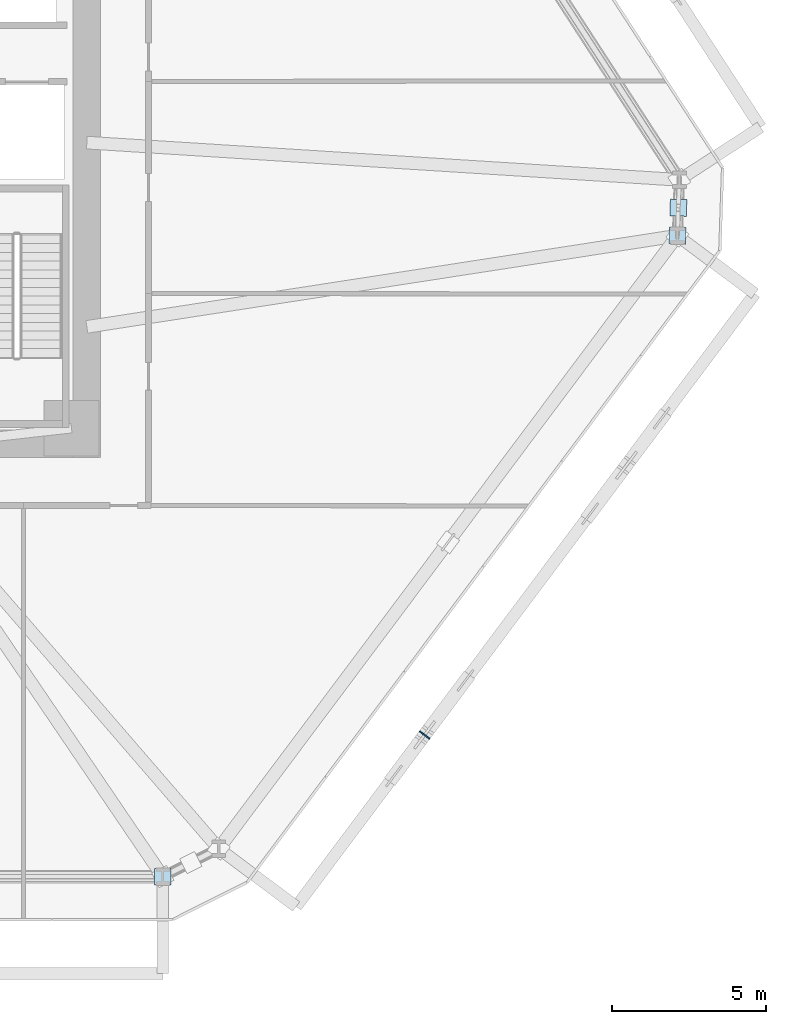
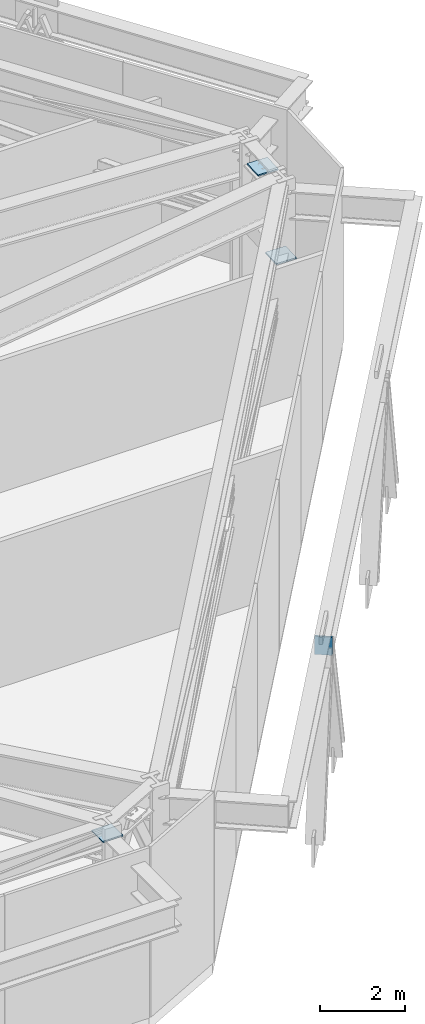
# One storey, part 10 of 16: 4 plates.
"""IFC4 building model written with IfcOpenShell, lengths in metres."""

from ifc_helpers import new_model, si_unit, direction, frame, origin, origin_2d, place, context, subcontext, project, spatial, rectangle, extrude, source, transform, mapped, material, layer, layer_set, type_object, type_shapes, element, save


model = new_model("IFC4")

# Units and contexts
model_context = context("Model", 3, precision=1e-05, world=origin(), true_north=direction((0.0, 1.0)))
body_context = subcontext(model_context, "Body", "Model", "MODEL_VIEW")
ifc_project = project(units=[si_unit("LENGTHUNIT", "METRE"), si_unit("AREAUNIT", "SQUARE_METRE"), si_unit("VOLUMEUNIT", "CUBIC_METRE"), si_unit("PLANEANGLEUNIT", "RADIAN"), si_unit("MASSUNIT", "GRAM", prefix="KILO")], contexts=[model_context])

# Site, building, storey
site_placement = place(None, origin())
site = spatial("IfcSite", under=ifc_project, at=site_placement, CompositionType="ELEMENT")
building_placement = place(site_placement, origin())
building = spatial("IfcBuilding", under=site, at=building_placement, Name="Durnholm Broadcast Tower", CompositionType="ELEMENT")
storey_placement = place(building_placement, frame((0.0, 0.0, 10.39990234375)))
storey = spatial("IfcBuildingStorey", under=building, at=storey_placement, Name="L02", CompositionType="ELEMENT", Elevation=10.39990234375)

# Plates
ifc_material = material(Name="Steel ASTM A572 Grade 50", Category="steel")
ifc_layer_1 = layer(ifc_material, 0.0400390625)
ifc_layer_set_1 = layer_set([ifc_layer_1], Name="Steel ASTM A572 Grade 50")
plate_type_1 = type_object("IfcPlateType", Name="PLT-KN-CAP", PredefinedType="USERDEFINED", material=ifc_layer_set_1)
shared_shape_1 = source(origin(), body_context, "Body", "SweptSolid", [
    extrude(rectangle(XDim=0.5400390625, YDim=0.5400390625, at=origin_2d()), origin(), (0.0, 0.0, 1.0), 0.0400390625),
])
type_shapes(plate_type_1, [shared_shape_1])
for number, where, z_axis, x_axis, name in (
    (1, (29.529296875, -1.530517578125, 2.530029296875), (0.0, 0.0, 1.0), (-0.033504050301, -0.999438581711, 0.0), "L02 hollow section end cap plate BT-CH-L02-08 2"),
    (2, (29.56005859375, -0.62109375, 4.510009765625), (0.0, 0.0, 1.0), (-0.033504050301, -0.999438581711, 0.0), "L02 hollow section end cap plate BT-BR-L02-08-1 2"),
    (3, (12.77197265625, -22.39990234375, 4.510009765625), (0.0, 0.0, 1.0), (1.0, 0.0, 0.0), "L02 hollow section end cap plate BT-XSPLIT-L02-11-2 2"),
):
    element("IfcPlate", number, at=place(storey_placement, frame(where, z_axis=z_axis, x_axis=x_axis)), inside=storey, type_object=plate_type_1, Name=name, ObjectType="CAP_PLATE", PredefinedType="USERDEFINED", context=body_context, shape_type="MappedRepresentation", body=[
        mapped(shared_shape_1, transform((0.0, 0.0, 0.0), x_axis=(1.0, 0.0, 0.0), y_axis=(0.0, 1.0, 0.0), z_axis=(0.0, 0.0, 1.0), scale=1.0)),
    ])
ifc_layer_2 = layer(ifc_material, 0.044921875)
ifc_layer_set_2 = layer_set([ifc_layer_2], Name="Steel ASTM A572 Grade 50")
plate_type_2 = type_object("IfcPlateType", Name="PLT-KN-STIF", PredefinedType="SHEET", material=ifc_layer_set_2)
shared_shape_2 = source(origin(), body_context, "Body", "SweptSolid", [
    extrude(rectangle(XDim=0.044921875, YDim=0.419921875, at=origin_2d()), origin(), (0.0, 0.0, 1.0), 0.52001953125),
])
type_shapes(plate_type_2, [shared_shape_2])
plate_placement = place(storey_placement, frame((21.298095703125, -17.787109375, 3.86865234375), z_axis=(0.0, 0.0, 1.0), x_axis=(0.59916334338, 0.800626809413, 0.0)))
element("IfcPlate", 4, at=plate_placement, inside=storey, type_object=plate_type_2, Name="L02 welded diagrid node stiffener plate F2", PredefinedType="SHEET", context=body_context, shape_type="MappedRepresentation", body=[
    mapped(shared_shape_2, transform((0.0, 0.0, 0.0), x_axis=(1.0, 0.0, 0.0), y_axis=(0.0, 1.0, 0.0), z_axis=(0.0, 0.0, 1.0), scale=1.0)),
])

save(model, "model.ifc")
